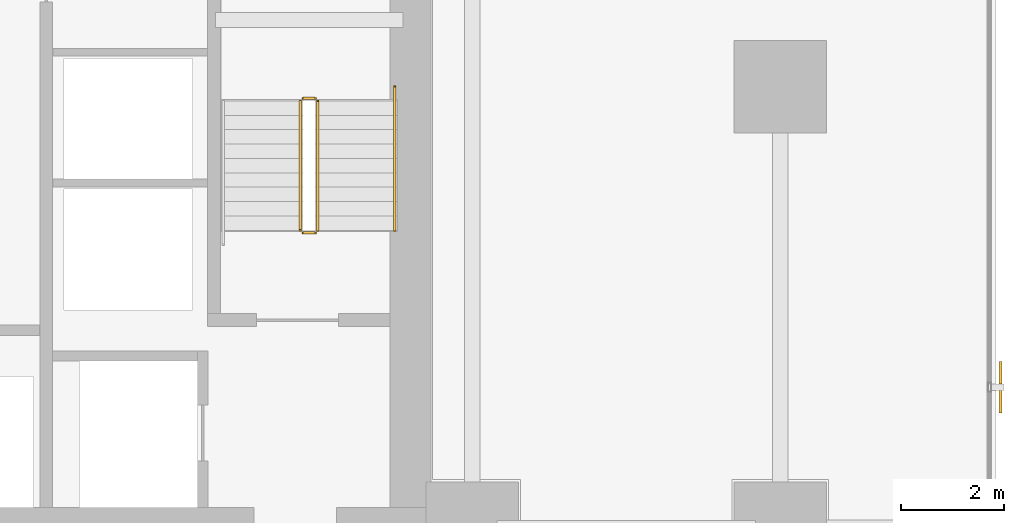
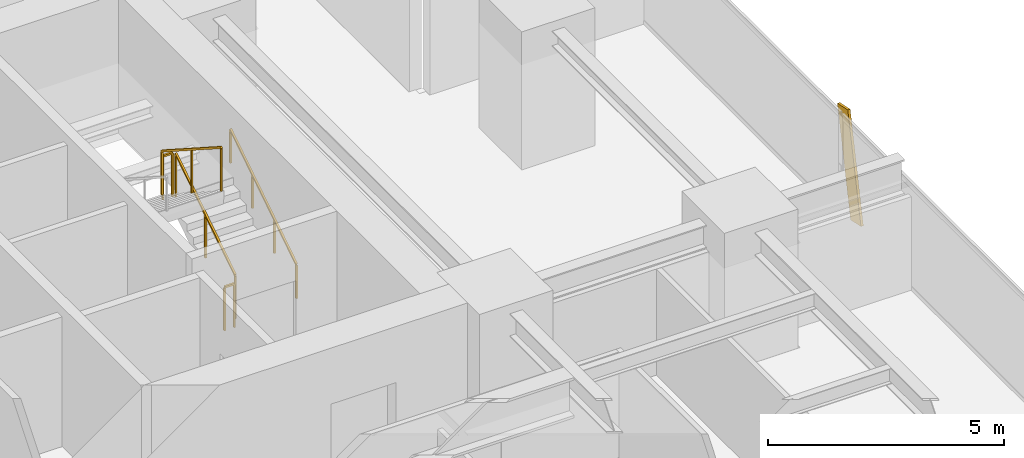
# One storey, part 32 of 33: 5 railings, 1 shading device.
"""IFC4 building model written with IfcOpenShell, lengths in metres."""

from ifc_helpers import new_model, si_unit, direction, frame, origin, origin_2d, place, context, subcontext, project, spatial, rectangle, extrude, source, transform, mapped, material, material_profile, profile_set, type_object, element, save


model = new_model("IFC4")

# Units and contexts
model_context = context("Model", 3, precision=1e-05, world=origin(), true_north=direction((0.0, 1.0)))
body_context = subcontext(model_context, "Body", "Model", "MODEL_VIEW")
ifc_project = project(units=[si_unit("LENGTHUNIT", "METRE"), si_unit("AREAUNIT", "SQUARE_METRE"), si_unit("VOLUMEUNIT", "CUBIC_METRE"), si_unit("PLANEANGLEUNIT", "RADIAN"), si_unit("MASSUNIT", "GRAM", prefix="KILO")], contexts=[model_context])

# Site, building, storey
site_placement = place(None, origin())
site = spatial("IfcSite", under=ifc_project, at=site_placement, CompositionType="ELEMENT")
building_placement = place(site_placement, origin())
building = spatial("IfcBuilding", under=site, at=building_placement, Name="Sumidabori Civic Tower", CompositionType="ELEMENT")
storey_placement = place(building_placement, frame((0.0, 0.0, 27.199951171875)))
storey = spatial("IfcBuildingStorey", under=building, at=storey_placement, Name="L06", CompositionType="ELEMENT", Elevation=27.199951171875)

# Railings
ifc_material_1 = material(Name="Stainless Steel Hairline Finish", Category="steel")
railing_type_1 = type_object("IfcRailingType", Name="RL-HANDRAIL", PredefinedType="HANDRAIL", material=ifc_material_1)
railing_1_placement = place(storey_placement, frame((15.2900390625, 16.0, 0.179931640625)))
element("IfcRailing", 1, at=railing_1_placement, inside=storey, type_object=railing_type_1, Name="L06 ST-2 stair handrail 1", PredefinedType="HANDRAIL", context=body_context, shape_type="SweptSolid", body=[
    extrude(rectangle(XDim=0.048095703125, YDim=0.048095703125, at=origin_2d()), frame((0.0, 0.0, 0.8759765625), z_axis=(0.0, 0.84064222762, 0.54159084662), x_axis=(-1.0, 0.0, 0.0)), (0.0, 0.0, 1.0), 3.330810546875),
    extrude(rectangle(XDim=0.0419921875, YDim=0.0419921875, at=origin_2d()), origin(), (0.0, 0.0, 1.0), 0.851806640625),
    extrude(rectangle(XDim=0.0419921875, YDim=0.0419921875, at=origin_2d()), frame((0.0, 0.933349609375, 0.601318359375)), (0.0, 0.0, 1.0), 0.851806640625),
    extrude(rectangle(XDim=0.0419921875, YDim=0.0419921875, at=origin_2d()), frame((0.0, 1.86669921875, 1.20263671875)), (0.0, 0.0, 1.0), 0.851806640625),
    extrude(rectangle(XDim=0.0419921875, YDim=0.0419921875, at=origin_2d()), frame((0.0, 2.800048828125, 1.803955078125)), (0.0, 0.0, 1.0), 0.851806640625),
])
ifc_material_2 = material(Name="Steel SN490", Category="steel")
railing_type_2 = type_object("IfcRailingType", Name="RL-STAIR-GUARD", PredefinedType="GUARDRAIL", material=ifc_material_2)
railing_2_placement = place(storey_placement, frame((13.7900390625, 16.0, 0.179931640625)))
element("IfcRailing", 2, at=railing_2_placement, inside=storey, type_object=railing_type_2, Name="L06 ST-2 stair guard 1", PredefinedType="GUARDRAIL", context=body_context, shape_type="SweptSolid", body=[
    extrude(rectangle(XDim=0.048095703125, YDim=0.048095703125, at=origin_2d()), frame((0.0, 0.0, 1.1259765625), z_axis=(0.0, 0.841162588446, 0.540782303519), x_axis=(-1.0, 0.0, 0.0)), (0.0, 0.0, 1.0), 2.995849609375),
    extrude(rectangle(XDim=0.0419921875, YDim=0.0419921875, at=origin_2d()), origin(), (0.0, 0.0, 1.0), 1.101806640625),
    extrude(rectangle(XDim=0.0419921875, YDim=0.0419921875, at=origin_2d()), frame((0.0, 1.260009765625, 0.81005859375)), (0.0, 0.0, 1.0), 1.101806640625),
    extrude(rectangle(XDim=0.0419921875, YDim=0.0419921875, at=origin_2d()), frame((0.0, 2.52001953125, 1.6201171875)), (0.0, 0.0, 1.0), 1.101806640625),
])
railing_3_placement = place(storey_placement, frame((13.739990234375, 18.570068359375, 1.800048828125)))
element("IfcRailing", 3, at=railing_3_placement, inside=storey, type_object=railing_type_2, Name="L06 ST-2 stair guard 2", PredefinedType="GUARDRAIL", context=body_context, shape_type="SweptSolid", body=[
    extrude(rectangle(XDim=0.048095703125, YDim=0.048095703125, at=origin_2d()), frame((0.0, 0.0, 1.1259765625), z_axis=(-1.0, 0.0, 0.0), x_axis=(0.0, -1.0, 0.0)), (0.0, 0.0, 1.0), 0.239990234375),
    extrude(rectangle(XDim=0.0419921875, YDim=0.0419921875, at=origin_2d()), origin(), (0.0, 0.0, 1.0), 1.101806640625),
    extrude(rectangle(XDim=0.0419921875, YDim=0.0419921875, at=origin_2d()), frame((-0.239990234375, 0.0, 0.0)), (0.0, 0.0, 1.0), 1.101806640625),
])
railing_4_placement = place(storey_placement, frame((13.449951171875, 18.52001953125, 1.97998046875)))
element("IfcRailing", 4, at=railing_4_placement, inside=storey, type_object=railing_type_2, Name="L06 ST-2 stair guard 3", PredefinedType="GUARDRAIL", context=body_context, shape_type="SweptSolid", body=[
    extrude(rectangle(XDim=0.048095703125, YDim=0.048095703125, at=origin_2d()), frame((0.0, 0.0, 1.1259765625), z_axis=(0.0, -0.841162588446, 0.540782303519), x_axis=(1.0, 0.0, 0.0)), (0.0, 0.0, 1.0), 2.995849609375),
    extrude(rectangle(XDim=0.0419921875, YDim=0.0419921875, at=origin_2d()), origin(), (0.0, 0.0, 1.0), 1.101806640625),
    extrude(rectangle(XDim=0.0419921875, YDim=0.0419921875, at=origin_2d()), frame((0.0, -1.260009765625, 0.81005859375)), (0.0, 0.0, 1.0), 1.101806640625),
    extrude(rectangle(XDim=0.0419921875, YDim=0.0419921875, at=origin_2d()), frame((0.0, -2.52001953125, 1.6201171875)), (0.0, 0.0, 1.0), 1.101806640625),
])
railing_5_placement = place(storey_placement, frame((13.739990234375, 15.949951171875, 0.0)))
element("IfcRailing", 5, at=railing_5_placement, inside=storey, type_object=railing_type_2, Name="L06 ST-2 stair guard 4", PredefinedType="GUARDRAIL", context=body_context, shape_type="SweptSolid", body=[
    extrude(rectangle(XDim=0.048095703125, YDim=0.048095703125, at=origin_2d()), frame((0.0, 0.0, 1.1259765625), z_axis=(-1.0, 0.0, 0.0), x_axis=(0.0, -1.0, 0.0)), (0.0, 0.0, 1.0), 0.239990234375),
    extrude(rectangle(XDim=0.0419921875, YDim=0.0419921875, at=origin_2d()), origin(), (0.0, 0.0, 1.0), 1.101806640625),
    extrude(rectangle(XDim=0.0419921875, YDim=0.0419921875, at=origin_2d()), frame((-0.239990234375, 0.0, 0.0)), (0.0, 0.0, 1.0), 1.101806640625),
])

# Shading device
ifc_material_3 = material(Name="Anodised Bronze Aluminium AW-6063-T6", Category="aluminium")
ifc_material_profile = material_profile(ifc_material_3, rectangle(XDim=0.06005859375, YDim=0.449951171875, at=origin_2d()), Name="BRONZE FIN 450x60")
ifc_profile_set = profile_set([ifc_material_profile], Name="Anodised Bronze Aluminium AW-6063-T6")
shading_device_type = type_object("IfcShadingDeviceType", Name="SH-FIN-450", PredefinedType="USERDEFINED", material=ifc_profile_set)
shared_shape = source(origin(), body_context, "Body", "SweptSolid", [
    extrude(rectangle(XDim=0.06005859375, YDim=0.449951171875, at=origin_2d()), origin(), (0.0, 0.0, 1.0), 2.73779296875),
])
shading_device_placement = place(storey_placement, frame((27.090087890625, 12.662109375, 0.02001953125), z_axis=(0.0, 0.204477700022, 0.978871222477), x_axis=(-1.0, 0.0, 0.0)))
element("IfcShadingDevice", 6, at=shading_device_placement, inside=storey, type_object=shading_device_type, Name="Bronze Anodised Diagonal Fin L06-04", ObjectType="FIN", PredefinedType="USERDEFINED", context=body_context, shape_type="MappedRepresentation", body=[
    mapped(shared_shape, transform((0.0, 0.0, 0.0), x_axis=(1.0, 0.0, 0.0), y_axis=(0.0, 1.0, 0.0), z_axis=(0.0, 0.0, 1.0), scale=1.0)),
])

save(model, "model.ifc")
